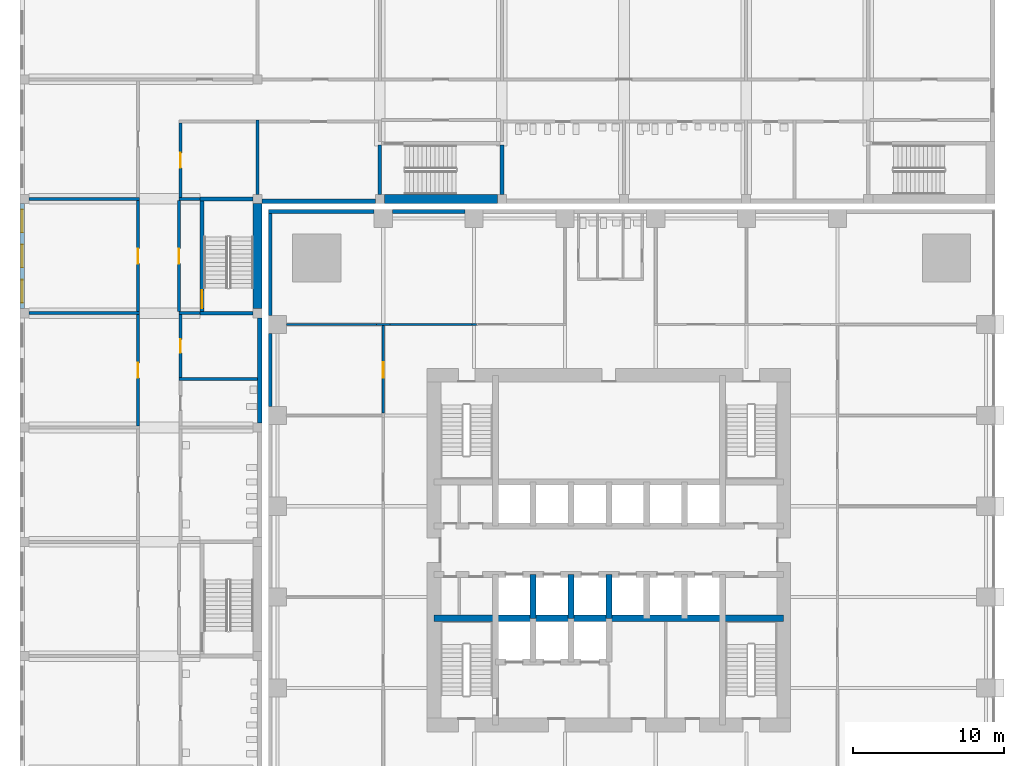
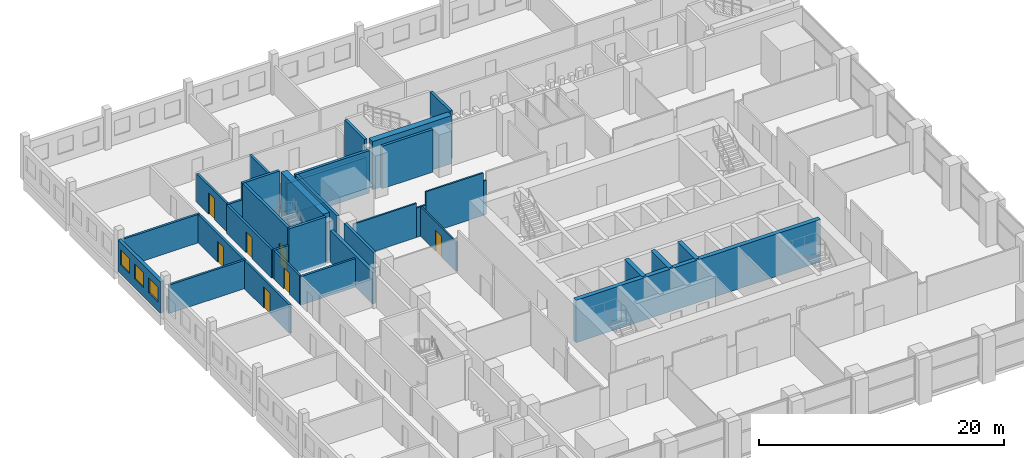
# One storey, part 13 of 24: 34 walls, 7 doors, 3 windows, 10 openings.
"""IFC4 building model written with IfcOpenShell, lengths in metres."""

from ifc_helpers import new_model, si_unit, direction, frame, frame_2d, origin, place, context, subcontext, project, spatial, rectangle, extrude, material, layer, layer_set, type_object, element, fill, save


model = new_model("IFC4")

# Units and contexts
model_context = context("Model", 3, precision=1e-05, world=origin(), true_north=direction((0.0, 1.0)))
body_context = subcontext(model_context, "Body", "Model", "MODEL_VIEW")
ifc_project = project(units=[si_unit("LENGTHUNIT", "METRE"), si_unit("AREAUNIT", "SQUARE_METRE"), si_unit("VOLUMEUNIT", "CUBIC_METRE"), si_unit("PLANEANGLEUNIT", "RADIAN"), si_unit("MASSUNIT", "GRAM", prefix="KILO")], contexts=[model_context])

# Site, building, storey
site_placement = place(None, origin())
site = spatial("IfcSite", under=ifc_project, at=site_placement, CompositionType="ELEMENT")
building_placement = place(site_placement, origin())
building = spatial("IfcBuilding", under=site, at=building_placement, Name="Amberfall Residences", CompositionType="ELEMENT")
storey_placement = place(building_placement, frame((0.0, 0.0, 19.0)))
storey = spatial("IfcBuildingStorey", under=building, at=storey_placement, Name="L04", CompositionType="ELEMENT", Elevation=19.0)

# Walls
ifc_material_1 = material(Name="Concrete C80", Category="concrete")
ifc_layer_1 = layer(ifc_material_1, 0.39990234375)
ifc_layer_set_1 = layer_set([ifc_layer_1], Name="Core wall 400 C80")
wall_type_1 = type_object("IfcWallType", Name="Core wall 400 C80", PredefinedType="SHEAR", material=ifc_layer_set_1)
wall_1_placement = place(storey_placement, frame((62.949951171875, 41.0, 0.0), z_axis=(0.0, 0.0, 1.0), x_axis=(1.0, 0.0, 0.0)))
element("IfcWall", 1, at=wall_1_placement, inside=storey, type_object=wall_type_1, Name="Core wall RW2 L04 H75", PredefinedType="SHEAR", context=body_context, shape_type="SweptSolid", body=[
    extrude(rectangle(XDim=23.10009765625, YDim=0.39990234375, at=frame_2d((11.550048828125, 0.0))), origin(), (0.0, 0.0, 1.0), 4.25),
])
for number, where, z_axis, x_axis, name in (
    (2, (69.5, 41.0, 0.0), (0.0, 0.0, 1.0), (0.0, 1.0, 0.0), "Core wall RW2 L04 LPD1"),
    (3, (72.0, 41.0, 0.0), (0.0, 0.0, 1.0), (0.0, 1.0, 0.0), "Core wall RW2 L04 LPD2"),
    (4, (74.5, 41.0, 0.0), (0.0, 0.0, 1.0), (0.0, 1.0, 0.0), "Core wall RW2 L04 LPD3"),
):
    element("IfcWall", number, at=place(storey_placement, frame(where, z_axis=z_axis, x_axis=x_axis)), inside=storey, type_object=wall_type_1, Name=name, PredefinedType="SHEAR", context=body_context, shape_type="SweptSolid", body=[
        extrude(rectangle(XDim=2.89990234375, YDim=0.39990234375, at=frame_2d((1.449951171875, 0.0))), origin(), (0.0, 0.0, 1.0), 4.25),
    ])
ifc_material_2 = material(Name="Fire-rated gypsum board on steel studs", Category="steel")
ifc_layer_2 = layer(ifc_material_2, 0.14990234375)
ifc_layer_set_2 = layer_set([ifc_layer_2], Name="Partition 150 fire-rated")
wall_type_2 = type_object("IfcWallType", Name="Partition 150 fire-rated", PredefinedType="PARTITIONING", material=ifc_layer_set_2)
wall_2_placement = place(storey_placement, frame((53.199951171875, 60.39990234375, 0.0), z_axis=(0.0, 0.0, 1.0), x_axis=(1.0, 0.0, 0.0)))
element("IfcWall", 5, at=wall_2_placement, inside=storey, type_object=wall_type_2, Name="Partition 150 fire-rated L04 015", PredefinedType="PARTITIONING", context=body_context, shape_type="SweptSolid", body=[
    extrude(rectangle(XDim=5.949951171875, YDim=0.14990234375, at=frame_2d((2.97509765625, 0.0))), origin(), (0.0, 0.0, 1.0), 3.4150390625),
])
wall_3_placement = place(storey_placement, frame((59.14990234375, 60.39990234375, 0.0), z_axis=(0.0, 0.0, 1.0), x_axis=(1.0, 0.0, 0.0)))
element("IfcWall", 6, at=wall_3_placement, inside=storey, type_object=wall_type_2, Name="Partition 150 fire-rated L04 016", PredefinedType="PARTITIONING", context=body_context, shape_type="SweptSolid", body=[
    extrude(rectangle(XDim=0.900146484375, YDim=0.14990234375, at=frame_2d((0.4501953125, 0.0))), origin(), (0.0, 0.0, 1.0), 2.947021484375),
])
wall_4_placement = place(storey_placement, frame((60.050048828125, 60.39990234375, 0.0), z_axis=(0.0, 0.0, 1.0), x_axis=(1.0, 0.0, 0.0)))
element("IfcWall", 7, at=wall_4_placement, inside=storey, type_object=wall_type_2, Name="Partition 150 fire-rated L04 017", PredefinedType="PARTITIONING", context=body_context, shape_type="SweptSolid", body=[
    extrude(rectangle(XDim=5.404052734375, YDim=0.14990234375, at=frame_2d((2.7021484375, 0.0))), origin(), (0.0, 0.0, 1.0), 4.25),
])
wall_5_placement = place(storey_placement, frame((65.4541015625, 60.39990234375, 0.0), z_axis=(0.0, 0.0, 1.0), x_axis=(1.0, 0.0, 0.0)))
element("IfcWall", 8, at=wall_5_placement, inside=storey, type_object=wall_type_2, Name="Partition 150 fire-rated L04 018", PredefinedType="PARTITIONING", context=body_context, shape_type="SweptSolid", body=[
    extrude(rectangle(XDim=0.291748046875, YDim=0.14990234375, at=frame_2d((0.14599609375, 0.0))), origin(), (0.0, 0.0, 1.0), 3.4150390625),
])

# Wall, opening, door
wall_6_placement = place(storey_placement, frame((59.60009765625, 54.5458984375, 0.0), z_axis=(0.0, 0.0, 1.0), x_axis=(0.0, 1.0, 0.0)))
wall_6 = element("IfcWall", 9, at=wall_6_placement, inside=storey, type_object=wall_type_2, Name="Partition 150 fire-rated L04 036", PredefinedType="PARTITIONING", context=body_context, shape_type="SweptSolid", body=[
    extrude(rectangle(XDim=5.779052734375, YDim=0.14990234375, at=frame_2d((2.8896484375, 0.0))), origin(), (0.0, 0.0, 1.0), 2.947021484375),
])
opening_1_placement = place(wall_6_placement, frame((2.354248046875, 0.0, 0.0)))
opening_1 = element("IfcOpeningElement", 10, at=opening_1_placement, cuts=wall_6, Name="Opening D2", PredefinedType="OPENING", context=body_context, shape_type="SweptSolid", body=[
    extrude(rectangle(XDim=1.0, YDim=2.10009765625, at=frame_2d((0.5, 1.050048828125))), frame((0.0, 0.0849609375, 0.0), z_axis=(0.0, -1.0, 0.0), x_axis=(1.0, 0.0, 0.0)), (0.0, 0.0, 1.0), 0.169921875),
])
ifc_material_3 = material(Name="Steel fire door leaf", Category="steel")
door_type_1 = type_object("IfcDoorType", Name="Fire door 1000x2100 FD30S", OperationType="SINGLE_SWING_LEFT", PredefinedType="DOOR", material=ifc_material_3)
door_1_placement = place(opening_1_placement, origin())
door_1 = element("IfcDoor", 11, at=door_1_placement, inside=storey, type_object=door_type_1, Name="Door Cleaner's store", OperationType="SINGLE_SWING_LEFT", OverallHeight=2.10009765625, OverallWidth=1.0, PredefinedType="DOOR", context=body_context, shape_type="SweptSolid", body=[
    extrude(rectangle(XDim=1.0, YDim=2.10009765625, at=frame_2d((0.5, 1.050048828125))), frame((0.0, 0.02490234375, 0.0), z_axis=(0.0, -1.0, 0.0), x_axis=(1.0, 0.0, 0.0)), (0.0, 0.0, 1.0), 0.050048828125),
])
fill(opening_1, door_1)

# Walls
ifc_material_4 = material(Name="Precast concrete C40", Category="concrete")
ifc_layer_3 = layer(ifc_material_4, 0.25)
ifc_layer_set_3 = layer_set([ifc_layer_3], Name="Podium external wall 250")
wall_type_3 = type_object("IfcWallType", Name="Podium external wall 250", PredefinedType="SOLIDWALL", material=ifc_layer_set_3)
wall_7_placement = place(storey_placement, frame((52.0, 67.875, 0.0), z_axis=(0.0, 0.0, 1.0), x_axis=(1.0, 0.0, 0.0)))
element("IfcWall", 12, at=wall_7_placement, inside=storey, type_object=wall_type_3, Name="Podium external wall N1", PredefinedType="SOLIDWALL", context=body_context, shape_type="SweptSolid", body=[
    extrude(rectangle(XDim=7.0, YDim=0.25, at=frame_2d((3.5, 0.0))), origin(), (0.0, 0.0, 1.0), 4.25),
])
for number, where, z_axis, x_axis, name in (
    (13, (60.199951171875, 67.875, 0.0), (0.0, 0.0, 1.0), (1.0, 0.0, 0.0), "Podium external wall N2"),
    (14, (52.125, 55.0, 0.0), (0.0, 0.0, 1.0), (0.0, 1.0, 0.0), "Podium external wall W6"),
):
    element("IfcWall", number, at=place(storey_placement, frame(where, z_axis=z_axis, x_axis=x_axis)), inside=storey, type_object=wall_type_3, Name=name, PredefinedType="SOLIDWALL", context=body_context, shape_type="SweptSolid", body=[
        extrude(rectangle(XDim=4.800048828125, YDim=0.25, at=frame_2d((2.39990234375, 0.0))), origin(), (0.0, 0.0, 1.0), 4.25),
    ])
wall_8_placement = place(storey_placement, frame((52.125, 61.0, 0.0), z_axis=(0.0, 0.0, 1.0), x_axis=(0.0, 1.0, 0.0)))
element("IfcWall", 15, at=wall_8_placement, inside=storey, type_object=wall_type_3, Name="Podium external wall W7", PredefinedType="SOLIDWALL", context=body_context, shape_type="SweptSolid", body=[
    extrude(rectangle(XDim=7.0, YDim=0.25, at=frame_2d((3.5, 0.0))), origin(), (0.0, 0.0, 1.0), 4.25),
])

# Wall, openings, windows
ifc_material_5 = material(Name="Aerated block wall")
ifc_layer_4 = layer(ifc_material_5, 0.300048828125)
ifc_layer_set_4 = layer_set([ifc_layer_4], Name="School external wall 300")
wall_type_4 = type_object("IfcWallType", Name="School external wall 300", PredefinedType="SOLIDWALL", material=ifc_layer_set_4)
wall_9_placement = place(storey_placement, frame((35.75, 61.449951171875, 0.0), z_axis=(0.0, 0.0, 1.0), x_axis=(0.0, 1.0, 0.0)))
wall_9 = element("IfcWall", 16, at=wall_9_placement, inside=storey, type_object=wall_type_4, Name="School external wall L04 EW7", PredefinedType="SOLIDWALL", context=body_context, shape_type="SweptSolid", body=[
    extrude(rectangle(XDim=6.949951171875, YDim=0.300048828125, at=frame_2d((3.47509765625, 0.0))), origin(), (0.0, 0.0, 1.0), 3.14990234375),
])
opening_2_placement = place(wall_9_placement, frame((0.408203125, 0.0, 0.89990234375)))
opening_2 = element("IfcOpeningElement", 17, at=opening_2_placement, cuts=wall_9, Name="Opening SWN1", PredefinedType="OPENING", context=body_context, shape_type="SweptSolid", body=[
    extrude(rectangle(XDim=1.5, YDim=1.5, at=frame_2d((0.75, 0.75))), frame((0.0, 0.159912109375, 0.0), z_axis=(0.0, -1.0, 0.0), x_axis=(1.0, 0.0, 0.0)), (0.0, 0.0, 1.0), 0.320068359375),
])
opening_3_placement = place(wall_9_placement, frame((2.72509765625, 0.0, 0.89990234375)))
opening_3 = element("IfcOpeningElement", 18, at=opening_3_placement, cuts=wall_9, Name="Opening SWN1", PredefinedType="OPENING", context=body_context, shape_type="SweptSolid", body=[
    extrude(rectangle(XDim=1.5, YDim=1.5, at=frame_2d((0.75, 0.75))), frame((0.0, 0.159912109375, 0.0), z_axis=(0.0, -1.0, 0.0), x_axis=(1.0, 0.0, 0.0)), (0.0, 0.0, 1.0), 0.320068359375),
])
opening_4_placement = place(wall_9_placement, frame((5.041748046875, 0.0, 0.89990234375)))
opening_4 = element("IfcOpeningElement", 19, at=opening_4_placement, cuts=wall_9, Name="Opening SWN1", PredefinedType="OPENING", context=body_context, shape_type="SweptSolid", body=[
    extrude(rectangle(XDim=1.5, YDim=1.5, at=frame_2d((0.75, 0.75))), frame((0.0, 0.159912109375, 0.0), z_axis=(0.0, -1.0, 0.0), x_axis=(1.0, 0.0, 0.0)), (0.0, 0.0, 1.0), 0.320068359375),
])
ifc_material_6 = material(Name="Aluminium window", Category="aluminium")
window_type = type_object("IfcWindowType", Name="School window 1500 x 1500", PartitioningType="DOUBLE_PANEL_HORIZONTAL", PredefinedType="WINDOW", material=ifc_material_6)
window_1_placement = place(opening_2_placement, origin())
window_1 = element("IfcWindow", 20, at=window_1_placement, inside=storey, type_object=window_type, Name="School window L04 EW7-1", OverallHeight=1.5, OverallWidth=1.5, PartitioningType="DOUBLE_PANEL_HORIZONTAL", PredefinedType="WINDOW", context=body_context, shape_type="SweptSolid", body=[
    extrude(rectangle(XDim=1.5, YDim=1.5, at=frame_2d((0.75, 0.75))), frame((0.0, 0.030029296875, 0.0), z_axis=(0.0, -1.0, 0.0), x_axis=(1.0, 0.0, 0.0)), (0.0, 0.0, 1.0), 0.06005859375),
])
fill(opening_2, window_1)
window_2_placement = place(opening_3_placement, origin())
window_2 = element("IfcWindow", 21, at=window_2_placement, inside=storey, type_object=window_type, Name="School window L04 EW7-2", OverallHeight=1.5, OverallWidth=1.5, PartitioningType="DOUBLE_PANEL_HORIZONTAL", PredefinedType="WINDOW", context=body_context, shape_type="SweptSolid", body=[
    extrude(rectangle(XDim=1.5, YDim=1.5, at=frame_2d((0.75, 0.75))), frame((0.0, 0.030029296875, 0.0), z_axis=(0.0, -1.0, 0.0), x_axis=(1.0, 0.0, 0.0)), (0.0, 0.0, 1.0), 0.06005859375),
])
fill(opening_3, window_2)
window_3_placement = place(opening_4_placement, origin())
window_3 = element("IfcWindow", 22, at=window_3_placement, inside=storey, type_object=window_type, Name="School window L04 EW7-3", OverallHeight=1.5, OverallWidth=1.5, PartitioningType="DOUBLE_PANEL_HORIZONTAL", PredefinedType="WINDOW", context=body_context, shape_type="SweptSolid", body=[
    extrude(rectangle(XDim=1.5, YDim=1.5, at=frame_2d((0.75, 0.75))), frame((0.0, 0.030029296875, 0.0), z_axis=(0.0, -1.0, 0.0), x_axis=(1.0, 0.0, 0.0)), (0.0, 0.0, 1.0), 0.06005859375),
])
fill(opening_4, window_3)

# Walls
wall_10_placement = place(storey_placement, frame((51.449951171875, 53.89990234375, 0.0), z_axis=(0.0, 0.0, 1.0), x_axis=(0.0, 1.0, 0.0)))
element("IfcWall", 23, at=wall_10_placement, inside=storey, type_object=wall_type_4, Name="School external wall L04 ET6", PredefinedType="SOLIDWALL", context=body_context, shape_type="SweptSolid", body=[
    extrude(rectangle(XDim=6.9501953125, YDim=0.300048828125, at=frame_2d((3.47509765625, 0.0))), origin(), (0.0, 0.0, 1.0), 3.14990234375),
])
wall_11_placement = place(storey_placement, frame((51.60009765625, 68.550048828125, 0.0), z_axis=(0.0, 0.0, 1.0), x_axis=(1.0, 0.0, 0.0)))
element("IfcWall", 24, at=wall_11_placement, inside=storey, type_object=wall_type_4, Name="School external wall L04 EY0", PredefinedType="SOLIDWALL", context=body_context, shape_type="SweptSolid", body=[
    extrude(rectangle(XDim=7.466796875, YDim=0.300048828125, at=frame_2d((3.7333984375, 0.0))), origin(), (0.0, 0.0, 1.0), 3.14990234375),
])

# Wall, opening, door
ifc_layer_5 = layer(ifc_material_5, 0.199951171875)
ifc_layer_set_5 = layer_set([ifc_layer_5], Name="School partition 200")
wall_type_5 = type_object("IfcWallType", Name="School partition 200", PredefinedType="PARTITIONING", material=ifc_layer_set_5)
wall_12_placement = place(storey_placement, frame((43.39990234375, 53.699951171875, 0.0), z_axis=(0.0, 0.0, 1.0), x_axis=(0.0, 1.0, 0.0)))
wall_12 = element("IfcWall", 25, at=wall_12_placement, inside=storey, type_object=wall_type_5, Name="School partition L04 CWW6", PredefinedType="PARTITIONING", context=body_context, shape_type="SweptSolid", body=[
    extrude(rectangle(XDim=7.35009765625, YDim=0.199951171875, at=frame_2d((3.675048828125, 0.0))), origin(), (0.0, 0.0, 1.0), 2.85009765625),
])
opening_5_placement = place(wall_12_placement, frame((3.175048828125, 0.0, 0.0)))
opening_5 = element("IfcOpeningElement", 26, at=opening_5_placement, cuts=wall_12, Name="Opening SD5", PredefinedType="OPENING", context=body_context, shape_type="SweptSolid", body=[
    extrude(rectangle(XDim=1.0, YDim=2.10009765625, at=frame_2d((0.5, 1.050048828125))), frame((0.0, 0.10986328125, 0.0), z_axis=(0.0, -1.0, 0.0), x_axis=(1.0, 0.0, 0.0)), (0.0, 0.0, 1.0), 0.219970703125),
])
ifc_material_7 = material(Name="Timber door", Category="wood")
door_type_2 = type_object("IfcDoorType", Name="School classroom door 1000 x 2100", OperationType="SINGLE_SWING_LEFT", PredefinedType="DOOR", material=ifc_material_7)
door_2_placement = place(opening_5_placement, origin())
door_2 = element("IfcDoor", 27, at=door_2_placement, inside=storey, type_object=door_type_2, Name="School door L04 CWW6-1", OperationType="SINGLE_SWING_LEFT", OverallHeight=2.10009765625, OverallWidth=1.0, PredefinedType="DOOR", context=body_context, shape_type="SweptSolid", body=[
    extrude(rectangle(XDim=1.0, YDim=2.10009765625, at=frame_2d((0.5, 1.050048828125))), frame((0.0, 0.02490234375, 0.0), z_axis=(0.0, -1.0, 0.0), x_axis=(1.0, 0.0, 0.0)), (0.0, 0.0, 1.0), 0.050048828125),
])
fill(opening_5, door_2)

wall_13_placement = place(storey_placement, frame((43.39990234375, 61.25, 0.0), z_axis=(0.0, 0.0, 1.0), x_axis=(0.0, 1.0, 0.0)))
wall_13 = element("IfcWall", 28, at=wall_13_placement, inside=storey, type_object=wall_type_5, Name="School partition L04 CWW7", PredefinedType="PARTITIONING", context=body_context, shape_type="SweptSolid", body=[
    extrude(rectangle(XDim=7.35009765625, YDim=0.199951171875, at=frame_2d((3.675048828125, 0.0))), origin(), (0.0, 0.0, 1.0), 2.85009765625),
])
opening_6_placement = place(wall_13_placement, frame((3.175048828125, 0.0, 0.0)))
opening_6 = element("IfcOpeningElement", 29, at=opening_6_placement, cuts=wall_13, Name="Opening SD5", PredefinedType="OPENING", context=body_context, shape_type="SweptSolid", body=[
    extrude(rectangle(XDim=1.0, YDim=2.10009765625, at=frame_2d((0.5, 1.050048828125))), frame((0.0, 0.10986328125, 0.0), z_axis=(0.0, -1.0, 0.0), x_axis=(1.0, 0.0, 0.0)), (0.0, 0.0, 1.0), 0.219970703125),
])
door_3_placement = place(opening_6_placement, origin())
door_3 = element("IfcDoor", 30, at=door_3_placement, inside=storey, type_object=door_type_2, Name="School door L04 CWW7-1", OperationType="SINGLE_SWING_LEFT", OverallHeight=2.10009765625, OverallWidth=1.0, PredefinedType="DOOR", context=body_context, shape_type="SweptSolid", body=[
    extrude(rectangle(XDim=1.0, YDim=2.10009765625, at=frame_2d((0.5, 1.050048828125))), frame((0.0, 0.02490234375, 0.0), z_axis=(0.0, -1.0, 0.0), x_axis=(1.0, 0.0, 0.0)), (0.0, 0.0, 1.0), 0.050048828125),
])
fill(opening_6, door_3)

# Walls
for number, where, z_axis, x_axis, name in (
    (31, (36.199951171875, 61.14990234375, 0.0), (0.0, 0.0, 1.0), (1.0, 0.0, 0.0), "School partition L04 PW6115"),
    (32, (36.199951171875, 68.699951171875, 0.0), (0.0, 0.0, 1.0), (1.0, 0.0, 0.0), "School partition L04 PW6870"),
):
    element("IfcWall", number, at=place(storey_placement, frame(where, z_axis=z_axis, x_axis=x_axis)), inside=storey, type_object=wall_type_5, Name=name, PredefinedType="PARTITIONING", context=body_context, shape_type="SweptSolid", body=[
        extrude(rectangle(XDim=7.300048828125, YDim=0.199951171875, at=frame_2d((3.64990234375, 0.0))), origin(), (0.0, 0.0, 1.0), 2.85009765625),
    ])

# Wall, opening, door
wall_14_placement = place(storey_placement, frame((46.199951171875, 56.89990234375, 0.0), z_axis=(0.0, 0.0, 1.0), x_axis=(0.0, 1.0, 0.0)))
wall_14 = element("IfcWall", 33, at=wall_14_placement, inside=storey, type_object=wall_type_5, Name="School partition L04 CWE657", PredefinedType="PARTITIONING", context=body_context, shape_type="SweptSolid", body=[
    extrude(rectangle(XDim=4.150146484375, YDim=0.199951171875, at=frame_2d((2.0751953125, 0.0))), origin(), (0.0, 0.0, 1.0), 2.85009765625),
])
opening_7_placement = place(wall_14_placement, frame((1.625, 0.0, 0.0)))
opening_7 = element("IfcOpeningElement", 34, at=opening_7_placement, cuts=wall_14, Name="Opening SD2", PredefinedType="OPENING", context=body_context, shape_type="SweptSolid", body=[
    extrude(rectangle(XDim=0.89990234375, YDim=2.10009765625, at=frame_2d((0.449951171875, 1.050048828125))), frame((0.0, 0.10986328125, 0.0), z_axis=(0.0, -1.0, 0.0), x_axis=(1.0, 0.0, 0.0)), (0.0, 0.0, 1.0), 0.219970703125),
])
door_type_3 = type_object("IfcDoorType", Name="School WC door 900 x 2100", OperationType="SINGLE_SWING_LEFT", PredefinedType="DOOR", material=ifc_material_7)
door_4_placement = place(opening_7_placement, origin())
door_4 = element("IfcDoor", 35, at=door_4_placement, inside=storey, type_object=door_type_3, Name="School door L04 CWE657-1", OperationType="SINGLE_SWING_LEFT", OverallHeight=2.10009765625, OverallWidth=0.89990234375, PredefinedType="DOOR", context=body_context, shape_type="SweptSolid", body=[
    extrude(rectangle(XDim=0.89990234375, YDim=2.10009765625, at=frame_2d((0.449951171875, 1.050048828125))), frame((0.0, 0.02490234375, 0.0), z_axis=(0.0, -1.0, 0.0), x_axis=(1.0, 0.0, 0.0)), (0.0, 0.0, 1.0), 0.050048828125),
])
fill(opening_7, door_4)

wall_15_placement = place(storey_placement, frame((46.199951171875, 68.800048828125, 0.0), z_axis=(0.0, 0.0, 1.0), x_axis=(0.0, 1.0, 0.0)))
wall_15 = element("IfcWall", 36, at=wall_15_placement, inside=storey, type_object=wall_type_5, Name="School partition L04 CWE869", PredefinedType="PARTITIONING", context=body_context, shape_type="SweptSolid", body=[
    extrude(rectangle(XDim=4.89990234375, YDim=0.199951171875, at=frame_2d((2.449951171875, 0.0))), origin(), (0.0, 0.0, 1.0), 2.85009765625),
])
opening_8_placement = place(wall_15_placement, frame((1.949951171875, 0.0, 0.0)))
opening_8 = element("IfcOpeningElement", 37, at=opening_8_placement, cuts=wall_15, Name="Opening SD5", PredefinedType="OPENING", context=body_context, shape_type="SweptSolid", body=[
    extrude(rectangle(XDim=1.0, YDim=2.10009765625, at=frame_2d((0.5, 1.050048828125))), frame((0.0, 0.10986328125, 0.0), z_axis=(0.0, -1.0, 0.0), x_axis=(1.0, 0.0, 0.0)), (0.0, 0.0, 1.0), 0.219970703125),
])
door_5_placement = place(opening_8_placement, origin())
door_5 = element("IfcDoor", 38, at=door_5_placement, inside=storey, type_object=door_type_2, Name="School door L04 CWE869-1", OperationType="SINGLE_SWING_LEFT", OverallHeight=2.10009765625, OverallWidth=1.0, PredefinedType="DOOR", context=body_context, shape_type="SweptSolid", body=[
    extrude(rectangle(XDim=1.0, YDim=2.10009765625, at=frame_2d((0.5, 1.050048828125))), frame((0.0, 0.02490234375, 0.0), z_axis=(0.0, -1.0, 0.0), x_axis=(1.0, 0.0, 0.0)), (0.0, 0.0, 1.0), 0.050048828125),
])
fill(opening_8, door_5)

# Walls
for number, where, z_axis, x_axis, name in (
    (39, (46.10009765625, 61.14990234375, 0.0), (0.0, 0.0, 1.0), (1.0, 0.0, 0.0), "School partition L04 PEA7"),
    (40, (46.10009765625, 68.699951171875, 0.0), (0.0, 0.0, 1.0), (1.0, 0.0, 0.0), "School partition L04 PEA8"),
):
    element("IfcWall", number, at=place(storey_placement, frame(where, z_axis=z_axis, x_axis=x_axis)), inside=storey, type_object=wall_type_5, Name=name, PredefinedType="PARTITIONING", context=body_context, shape_type="SweptSolid", body=[
        extrude(rectangle(XDim=1.39990234375, YDim=0.199951171875, at=frame_2d((0.699951171875, 0.0))), origin(), (0.0, 0.0, 1.0), 2.85009765625),
    ])
wall_16_placement = place(storey_placement, frame((46.10009765625, 56.800048828125, 0.0), z_axis=(0.0, 0.0, 1.0), x_axis=(1.0, 0.0, 0.0)))
element("IfcWall", 41, at=wall_16_placement, inside=storey, type_object=wall_type_5, Name="School partition L04 PE6x", PredefinedType="PARTITIONING", context=body_context, shape_type="SweptSolid", body=[
    extrude(rectangle(XDim=5.199951171875, YDim=0.199951171875, at=frame_2d((2.60009765625, 0.0))), origin(), (0.0, 0.0, 1.0), 2.85009765625),
])
wall_17_placement = place(storey_placement, frame((51.300048828125, 69.0, 0.0), z_axis=(0.0, 0.0, 1.0), x_axis=(0.0, 1.0, 0.0)))
element("IfcWall", 42, at=wall_17_placement, inside=storey, type_object=wall_type_5, Name="School partition L04 PES", PredefinedType="PARTITIONING", context=body_context, shape_type="SweptSolid", body=[
    extrude(rectangle(XDim=4.89990234375, YDim=0.199951171875, at=frame_2d((2.449951171875, 0.0))), origin(), (0.0, 0.0, 1.0), 2.85009765625),
])

# Wall, opening, door
wall_18_placement = place(storey_placement, frame((46.10009765625, 61.25, 0.0), z_axis=(0.0, 0.0, 1.0), x_axis=(0.0, 1.0, 0.0)))
wall_18 = element("IfcWall", 43, at=wall_18_placement, inside=storey, type_object=wall_type_5, Name="School partition L04 CWLSS3", PredefinedType="PARTITIONING", context=body_context, shape_type="SweptSolid", body=[
    extrude(rectangle(XDim=7.35009765625, YDim=0.199951171875, at=frame_2d((3.675048828125, 0.0))), origin(), (0.0, 0.0, 1.0), 2.85009765625),
])
opening_9_placement = place(wall_18_placement, frame((3.175048828125, 0.0, 0.0)))
opening_9 = element("IfcOpeningElement", 44, at=opening_9_placement, cuts=wall_18, Name="Opening SD8", PredefinedType="OPENING", context=body_context, shape_type="SweptSolid", body=[
    extrude(rectangle(XDim=1.0, YDim=2.10009765625, at=frame_2d((0.5, 1.050048828125))), frame((0.0, 0.10986328125, 0.0), z_axis=(0.0, -1.0, 0.0), x_axis=(1.0, 0.0, 0.0)), (0.0, 0.0, 1.0), 0.219970703125),
])
door_type_4 = type_object("IfcDoorType", Name="School lobby door 1000 x 2100", OperationType="SINGLE_SWING_LEFT", PredefinedType="DOOR", material=ifc_material_7)
door_6_placement = place(opening_9_placement, origin())
door_6 = element("IfcDoor", 45, at=door_6_placement, inside=storey, type_object=door_type_4, Name="School door L04 CWLSS3-1", OperationType="SINGLE_SWING_LEFT", OverallHeight=2.10009765625, OverallWidth=1.0, PredefinedType="DOOR", context=body_context, shape_type="SweptSolid", body=[
    extrude(rectangle(XDim=1.0, YDim=2.10009765625, at=frame_2d((0.5, 1.050048828125))), frame((0.0, 0.02490234375, 0.0), z_axis=(0.0, -1.0, 0.0), x_axis=(1.0, 0.0, 0.0)), (0.0, 0.0, 1.0), 0.050048828125),
])
fill(opening_9, door_6)

ifc_material_8 = material(Name="Concrete C50", Category="concrete")
ifc_layer_6 = layer(ifc_material_8, 0.25)
ifc_layer_set_6 = layer_set([ifc_layer_6], Name="School stair core wall 250 C50")
wall_type_6 = type_object("IfcWallType", Name="School stair core wall 250 C50", PredefinedType="SHEAR", material=ifc_layer_set_6)
wall_19_placement = place(storey_placement, frame((47.625, 61.27490234375, -0.300048828125), z_axis=(0.0, 0.0, 1.0), x_axis=(0.0, 1.0, 0.0)))
wall_19 = element("IfcWall", 46, at=wall_19_placement, inside=storey, type_object=wall_type_6, Name="School core wall L04 SS3W", PredefinedType="SHEAR", context=body_context, shape_type="SweptSolid", body=[
    extrude(rectangle(XDim=7.300048828125, YDim=0.25, at=frame_2d((3.64990234375, 0.0))), origin(), (0.0, 0.0, 1.0), 4.800048828125),
])
opening_10_placement = place(wall_19_placement, frame((0.199951171875, 0.0, 0.300048828125)))
opening_10 = element("IfcOpeningElement", 47, at=opening_10_placement, cuts=wall_19, Name="Opening SD4", PredefinedType="OPENING", context=body_context, shape_type="SweptSolid", body=[
    extrude(rectangle(XDim=1.199951171875, YDim=2.10009765625, at=frame_2d((0.60009765625, 1.050048828125))), frame((0.0, 0.135009765625, 0.0), z_axis=(0.0, -1.0, 0.0), x_axis=(1.0, 0.0, 0.0)), (0.0, 0.0, 1.0), 0.27001953125),
])
ifc_material_9 = material(Name="Steel fire door", Category="steel")
door_type_5 = type_object("IfcDoorType", Name="School stair door 1200 x 2100 FD120", OperationType="SINGLE_SWING_LEFT", PredefinedType="DOOR", material=ifc_material_9)
door_7_placement = place(opening_10_placement, origin())
door_7 = element("IfcDoor", 48, at=door_7_placement, inside=storey, type_object=door_type_5, Name="School stair door L04 SS3", OperationType="SINGLE_SWING_LEFT", OverallHeight=2.10009765625, OverallWidth=1.199951171875, PredefinedType="DOOR", context=body_context, shape_type="SweptSolid", body=[
    extrude(rectangle(XDim=1.199951171875, YDim=2.10009765625, at=frame_2d((0.60009765625, 1.050048828125))), frame((0.0, 0.02490234375, 0.0), z_axis=(0.0, -1.0, 0.0), x_axis=(1.0, 0.0, 0.0)), (0.0, 0.0, 1.0), 0.050048828125),
])
fill(opening_10, door_7)

# Walls
for number, where, z_axis, x_axis, name in (
    (49, (47.5, 61.14990234375, -0.300048828125), (0.0, 0.0, 1.0), (1.0, 0.0, 0.0), "School core wall L04 SS3S"),
    (50, (47.5, 68.699951171875, -0.300048828125), (0.0, 0.0, 1.0), (1.0, 0.0, 0.0), "School core wall L04 SS3N"),
):
    element("IfcWall", number, at=place(storey_placement, frame(where, z_axis=z_axis, x_axis=x_axis)), inside=storey, type_object=wall_type_6, Name=name, PredefinedType="SHEAR", context=body_context, shape_type="SweptSolid", body=[
        extrude(rectangle(XDim=3.5, YDim=0.25, at=frame_2d((1.75, 0.0))), origin(), (0.0, 0.0, 1.0), 4.800048828125),
    ])
for number, where, z_axis, x_axis, name in (
    (51, (59.366943359375, 69.0, -0.300048828125), (0.0, 0.0, 1.0), (0.0, 1.0, 0.0), "School core wall L04 SS4W"),
    (52, (67.43310546875, 69.0, -0.300048828125), (0.0, 0.0, 1.0), (0.0, 1.0, 0.0), "School core wall L04 SS4EW"),
):
    element("IfcWall", number, at=place(storey_placement, frame(where, z_axis=z_axis, x_axis=x_axis)), inside=storey, type_object=wall_type_6, Name=name, PredefinedType="SHEAR", context=body_context, shape_type="SweptSolid", body=[
        extrude(rectangle(XDim=3.25, YDim=0.25, at=frame_2d((1.625, 0.0))), origin(), (0.0, 0.0, 1.0), 4.800048828125),
    ])
ifc_layer_7 = layer(ifc_material_8, 0.60009765625)
ifc_layer_set_7 = layer_set([ifc_layer_7], Name="School tower-side core wall 600 C50")
wall_type_7 = type_object("IfcWallType", Name="School tower-side core wall 600 C50", PredefinedType="SHEAR", material=ifc_layer_set_7)
wall_20_placement = place(storey_placement, frame((51.300048828125, 61.449951171875, -0.300048828125), z_axis=(0.0, 0.0, 1.0), x_axis=(0.0, 1.0, 0.0)))
element("IfcWall", 53, at=wall_20_placement, inside=storey, type_object=wall_type_7, Name="School core wall L04 SS3E", PredefinedType="SHEAR", context=body_context, shape_type="SweptSolid", body=[
    extrude(rectangle(XDim=6.949951171875, YDim=0.60009765625, at=frame_2d((3.47509765625, 0.0))), origin(), (0.0, 0.0, 1.0), 4.800048828125),
])
wall_21_placement = place(storey_placement, frame((59.6669921875, 68.699951171875, -0.300048828125), z_axis=(0.0, 0.0, 1.0), x_axis=(1.0, 0.0, 0.0)))
element("IfcWall", 54, at=wall_21_placement, inside=storey, type_object=wall_type_7, Name="School core wall L04 SS4S", PredefinedType="SHEAR", context=body_context, shape_type="SweptSolid", body=[
    extrude(rectangle(XDim=7.466064453125, YDim=0.60009765625, at=frame_2d((3.73291015625, 0.0))), origin(), (0.0, 0.0, 1.0), 4.800048828125),
])

save(model, "model.ifc")
